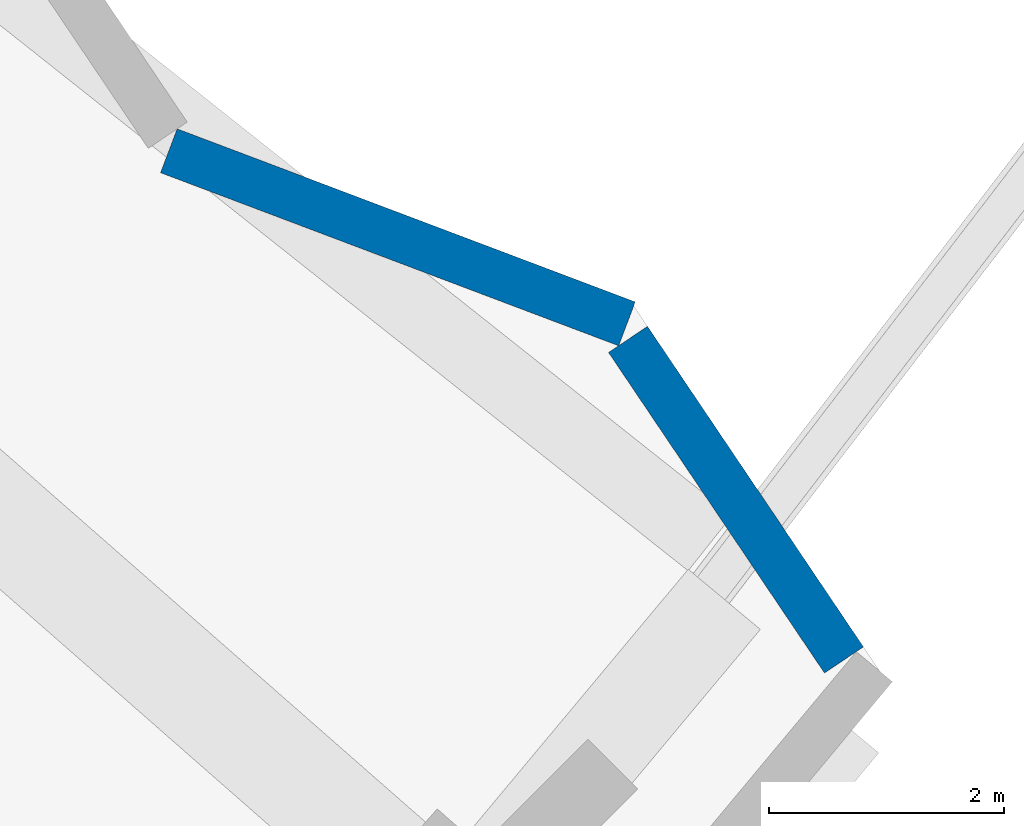
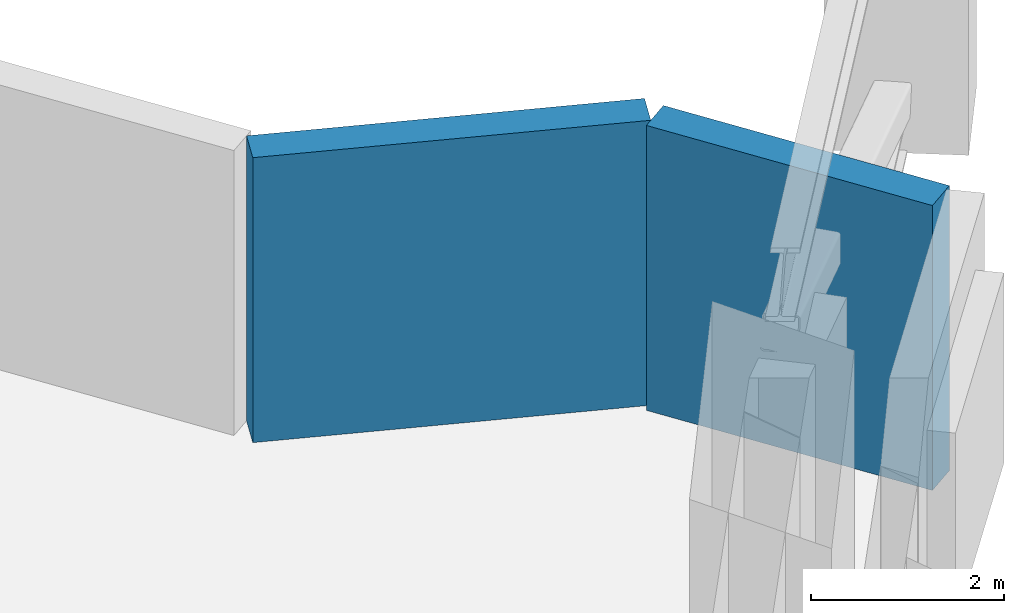
# One storey, part 10 of 25: 2 walls.
"""IFC4 building model written with IfcOpenShell, lengths in metres."""

from ifc_helpers import new_model, si_unit, direction, frame, frame_2d, origin, place, context, subcontext, project, spatial, rectangle, extrude, material, layer, layer_set, type_object, element, save


model = new_model("IFC4")

# Units and contexts
model_context = context("Model", 3, precision=1e-05, world=origin(), true_north=direction((0.0, 1.0)))
body_context = subcontext(model_context, "Body", "Model", "MODEL_VIEW")
ifc_project = project(units=[si_unit("LENGTHUNIT", "METRE"), si_unit("AREAUNIT", "SQUARE_METRE"), si_unit("VOLUMEUNIT", "CUBIC_METRE"), si_unit("PLANEANGLEUNIT", "RADIAN"), si_unit("MASSUNIT", "GRAM", prefix="KILO")], contexts=[model_context])

# Site, building, storey
site_placement = place(None, origin())
site = spatial("IfcSite", under=ifc_project, at=site_placement, CompositionType="ELEMENT")
building_placement = place(site_placement, origin())
building = spatial("IfcBuilding", under=site, at=building_placement, Name="Qamariyya Broadcast Tower", CompositionType="ELEMENT")
storey_placement = place(building_placement, frame((0.0, 0.0, 144.300048828125)))
storey = spatial("IfcBuildingStorey", under=building, at=storey_placement, Name="L33", CompositionType="ELEMENT", Elevation=144.300048828125)

# Walls
ifc_material = material(Name="Terracotta", Category="masonry")
ifc_layer = layer(ifc_material, 0.39990234375)
ifc_layer_set = layer_set([ifc_layer], Name="Terracotta clad plant wall 400")
wall_type = type_object("IfcWallType", Name="Terracotta clad plant wall 400", PredefinedType="SOLIDWALL", material=ifc_layer_set)
wall_1_placement = place(storey_placement, frame((61.75439453125, -49.048583984375, 0.0), z_axis=(0.0, 0.0, 1.0), x_axis=(-0.558712749234, 0.82936123845, 0.0)))
element("IfcWall", 1, at=wall_1_placement, inside=storey, type_object=wall_type, Name="e-wl-L33-capE0", PredefinedType="SOLIDWALL", context=body_context, shape_type="SweptSolid", body=[
    extrude(rectangle(XDim=3.29443359375, YDim=0.39990234375, at=frame_2d((1.647216796875, 0.0))), origin(), (0.0, 0.0, 1.0), 3.599853515625),
])
wall_2_placement = place(storey_placement, frame((59.904541015625, -46.18359375, 0.0), z_axis=(0.0, 0.0, 1.0), x_axis=(-0.935475531187, 0.353391469266, 0.0)))
element("IfcWall", 2, at=wall_2_placement, inside=storey, type_object=wall_type, Name="e-wl-L33-capE1", PredefinedType="SOLIDWALL", context=body_context, shape_type="SweptSolid", body=[
    extrude(rectangle(XDim=4.174072265625, YDim=0.39990234375, at=frame_2d((2.0869140625, 0.0))), origin(), (0.0, 0.0, 1.0), 3.599853515625),
])

save(model, "model.ifc")
